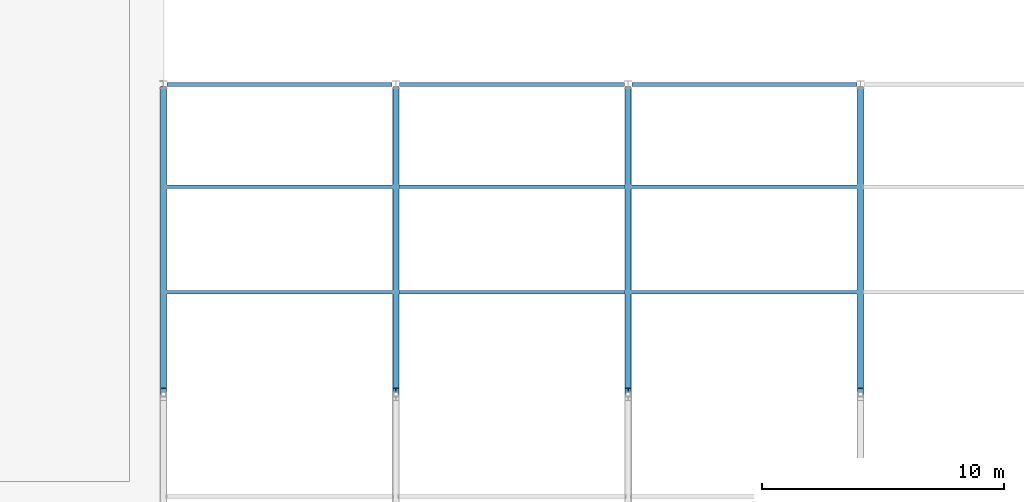
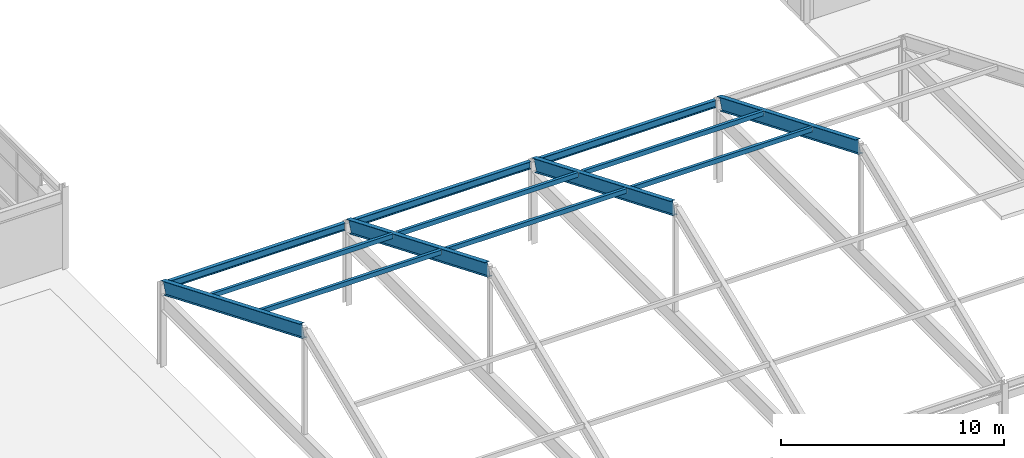
# One storey, part 18 of 88: 7 beams, 6 members.
"""IFC4 building model written with IfcOpenShell, lengths in metres."""

from ifc_helpers import new_model, si_unit, direction, frame, origin, origin_2d, place, context, subcontext, project, spatial, hollow_rectangle, i_section, extrude, material, material_profile, profile_set, type_object, element, save


model = new_model("IFC4")

# Units and contexts
model_context = context("Model", 3, precision=1e-05, world=origin(), true_north=direction((0.0, 1.0)))
body_context = subcontext(model_context, "Body", "Model", "MODEL_VIEW")
ifc_project = project(units=[si_unit("LENGTHUNIT", "METRE"), si_unit("AREAUNIT", "SQUARE_METRE"), si_unit("VOLUMEUNIT", "CUBIC_METRE"), si_unit("PLANEANGLEUNIT", "RADIAN"), si_unit("MASSUNIT", "GRAM", prefix="KILO")], contexts=[model_context])

# Site, building, storey
site_placement = place(None, origin())
site = spatial("IfcSite", under=ifc_project, at=site_placement, CompositionType="ELEMENT")
building_placement = place(site_placement, origin())
building = spatial("IfcBuilding", under=site, at=building_placement, Name="Sarnbrook Museum", CompositionType="ELEMENT")
storey_placement = place(building_placement, frame((0.0, 0.0, 10.10009765625)))
storey = spatial("IfcBuildingStorey", under=building, at=storey_placement, Name="L02", CompositionType="ELEMENT", Elevation=10.10009765625)

# Beams
ifc_material_1 = material(Name="Structural Steel Grade 350L0 (AS/NZS 3678, fy = 340 MPa for 20 < t <= 40 mm)", Category="steel")
ifc_material_profile_1 = material_profile(ifc_material_1, i_section(OverallWidth=0.25, OverallDepth=0.699951171875, WebThickness=0.010009765625, FlangeThickness=0.01611328125, at=origin_2d()), Name="700WB130")
ifc_profile_set_1 = profile_set([ifc_material_profile_1], Name="Structural Steel Grade 350L0 (AS/NZS 3678, fy = 340 MPa for 20 < t <= 40 mm)")
beam_type_1 = type_object("IfcBeamType", Name="BM-WB700", PredefinedType="BEAM", material=ifc_profile_set_1)
for number, where, z_axis, x_axis, name in (
    (1, (42.39990234375, 17.719970703125, 9.552001953125), (0.0, 0.923590091766, -0.38338145807), (-1.0, 0.0, 0.0), "Auditorium Roof Truss North Rafter X=42.4"),
    (2, (52.0, 17.719970703125, 9.552001953125), (0.0, 0.923590091766, -0.38338145807), (-1.0, 0.0, 0.0), "Auditorium Roof Truss North Rafter X=52.0"),
    (3, (61.60009765625, 17.719970703125, 9.552001953125), (0.0, 0.923590091766, -0.38338145807), (-1.0, 0.0, 0.0), "Auditorium Roof Truss North Rafter X=61.6"),
    (4, (71.199951171875, 17.719970703125, 9.552001953125), (0.0, 0.923590091766, -0.38338145807), (-1.0, 0.0, 0.0), "Auditorium Roof Truss North Rafter X=71.2"),
):
    element("IfcBeam", number, at=place(storey_placement, frame(where, z_axis=z_axis, x_axis=x_axis)), inside=storey, type_object=beam_type_1, Name=name, PredefinedType="BEAM", context=body_context, shape_type="SweptSolid", body=[
        extrude(i_section(OverallWidth=0.25, OverallDepth=0.699951171875, WebThickness=0.010009765625, FlangeThickness=0.01611328125, at=origin_2d()), origin(), (0.0, 0.0, 1.0), 13.49072265625),
    ])

# Members
ifc_material_2 = material(Name="Structural Steel Hollow Section Grade C350L0 (AS/NZS 1163, fy = 350 MPa)", Category="steel")
ifc_material_profile_2 = material_profile(ifc_material_2, hollow_rectangle(XDim=0.14990234375, YDim=0.25, WallThickness=0.009033203125, at=origin_2d()), Name="250x150x9.0RHS")
ifc_profile_set_2 = profile_set([ifc_material_profile_2], Name="Structural Steel Hollow Section Grade C350L0 (AS/NZS 1163, fy = 350 MPa)")
member_type = type_object("IfcMemberType", Name="PR-RHS250", PredefinedType="PURLIN", material=ifc_profile_set_2)
for number, where, z_axis, x_axis, name in (
    (5, (42.52001953125, 26.176025390625, 6.32177734375), (1.0, 0.0, 0.0), (0.0, 1.0, 0.0), "Auditorium Roof Purlin N-1"),
    (6, (52.1201171875, 26.176025390625, 6.32177734375), (1.0, 0.0, 0.0), (0.0, 1.0, 0.0), "Auditorium Roof Purlin N-2"),
):
    element("IfcMember", number, at=place(storey_placement, frame(where, z_axis=z_axis, x_axis=x_axis)), inside=storey, type_object=member_type, Name=name, PredefinedType="PURLIN", context=body_context, shape_type="SweptSolid", body=[
        extrude(hollow_rectangle(XDim=0.14990234375, YDim=0.25, WallThickness=0.009033203125, at=origin_2d()), origin(), (0.0, 0.0, 1.0), 9.35986328125),
    ])
member_1_placement = place(storey_placement, frame((61.719970703125, 26.176025390625, 6.32177734375), z_axis=(1.0, 0.0, 0.0), x_axis=(0.0, 1.0, 0.0)))
element("IfcMember", 7, at=member_1_placement, inside=storey, type_object=member_type, Name="Auditorium Roof Purlin N-3", PredefinedType="PURLIN", context=body_context, shape_type="SweptSolid", body=[
    extrude(hollow_rectangle(XDim=0.14990234375, YDim=0.25, WallThickness=0.009033203125, at=origin_2d()), origin(), (0.0, 0.0, 1.0), 9.360107421875),
])
for number, where, z_axis, x_axis, name in (
    (8, (42.52001953125, 21.823974609375, 8.080078125), (1.0, 0.0, 0.0), (0.0, 1.0, 0.0), "Auditorium Roof Purlin N-1"),
    (9, (52.1201171875, 21.823974609375, 8.080078125), (1.0, 0.0, 0.0), (0.0, 1.0, 0.0), "Auditorium Roof Purlin N-2"),
):
    element("IfcMember", number, at=place(storey_placement, frame(where, z_axis=z_axis, x_axis=x_axis)), inside=storey, type_object=member_type, Name=name, PredefinedType="PURLIN", context=body_context, shape_type="SweptSolid", body=[
        extrude(hollow_rectangle(XDim=0.14990234375, YDim=0.25, WallThickness=0.009033203125, at=origin_2d()), origin(), (0.0, 0.0, 1.0), 9.35986328125),
    ])
member_2_placement = place(storey_placement, frame((61.719970703125, 21.823974609375, 8.080078125), z_axis=(1.0, 0.0, 0.0), x_axis=(0.0, 1.0, 0.0)))
element("IfcMember", 10, at=member_2_placement, inside=storey, type_object=member_type, Name="Auditorium Roof Purlin N-3", PredefinedType="PURLIN", context=body_context, shape_type="SweptSolid", body=[
    extrude(hollow_rectangle(XDim=0.14990234375, YDim=0.25, WallThickness=0.009033203125, at=origin_2d()), origin(), (0.0, 0.0, 1.0), 9.360107421875),
])

# Beams
ifc_material_3 = material(Name="Structural Steel Grade 300PLUS (AS/NZS 3679.1, fy = 280 MPa for 17 < t <= 40 mm, 300 MPa for t <= 17 mm)", Category="steel")
ifc_material_profile_3 = material_profile(ifc_material_3, i_section(OverallWidth=0.177978515625, OverallDepth=0.406005859375, WebThickness=0.0078125, FlangeThickness=0.0126953125, FilletRadius=0.011474609375, at=origin_2d()), Name="410UB59.7")
ifc_profile_set_3 = profile_set([ifc_material_profile_3], Name="Structural Steel Grade 300PLUS (AS/NZS 3679.1, fy = 280 MPa for 17 < t <= 40 mm, 300 MPa for t <= 17 mm)")
beam_type_2 = type_object("IfcBeamType", Name="SP-UB410", PredefinedType="SPANDREL", material=ifc_profile_set_3)
for number, where, z_axis, x_axis, name in (
    (11, (42.550048828125, 30.39990234375, 4.296875), (1.0, 0.0, 0.0), (0.0, 1.0, 0.0), "Auditorium Eaves Entablature Spandrel D:5-6 L02"),
    (12, (52.14990234375, 30.39990234375, 4.296875), (1.0, 0.0, 0.0), (0.0, 1.0, 0.0), "Auditorium Eaves Entablature Spandrel D:6-7 L02"),
    (13, (61.75, 30.39990234375, 4.296875), (1.0, 0.0, 0.0), (0.0, 1.0, 0.0), "Auditorium Eaves Entablature Spandrel D:7-8 L02"),
):
    element("IfcBeam", number, at=place(storey_placement, frame(where, z_axis=z_axis, x_axis=x_axis)), inside=storey, type_object=beam_type_2, Name=name, PredefinedType="SPANDREL", context=body_context, shape_type="SweptSolid", body=[
        extrude(i_section(OverallWidth=0.177978515625, OverallDepth=0.406005859375, WebThickness=0.0078125, FlangeThickness=0.0126953125, FilletRadius=0.011474609375, at=origin_2d()), origin(), (0.0, 0.0, 1.0), 9.300048828125),
    ])

save(model, "model.ifc")
